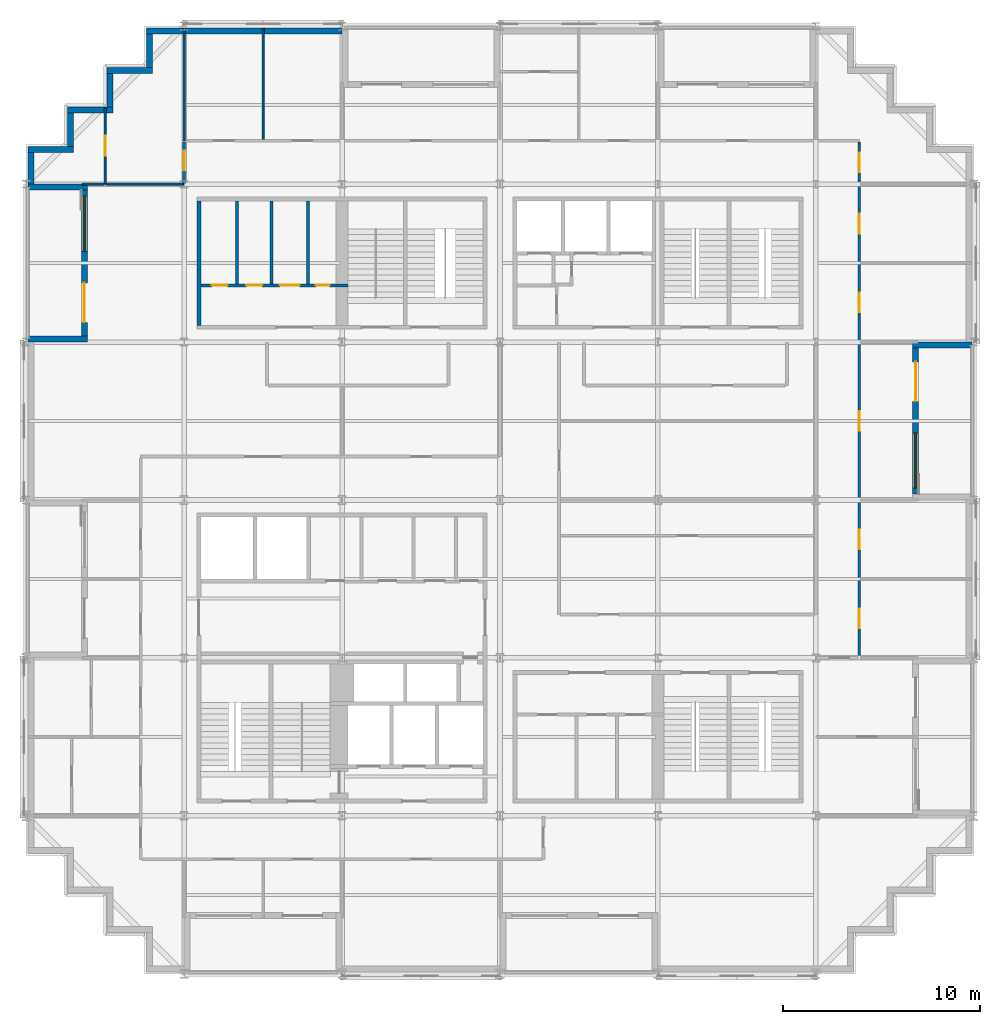
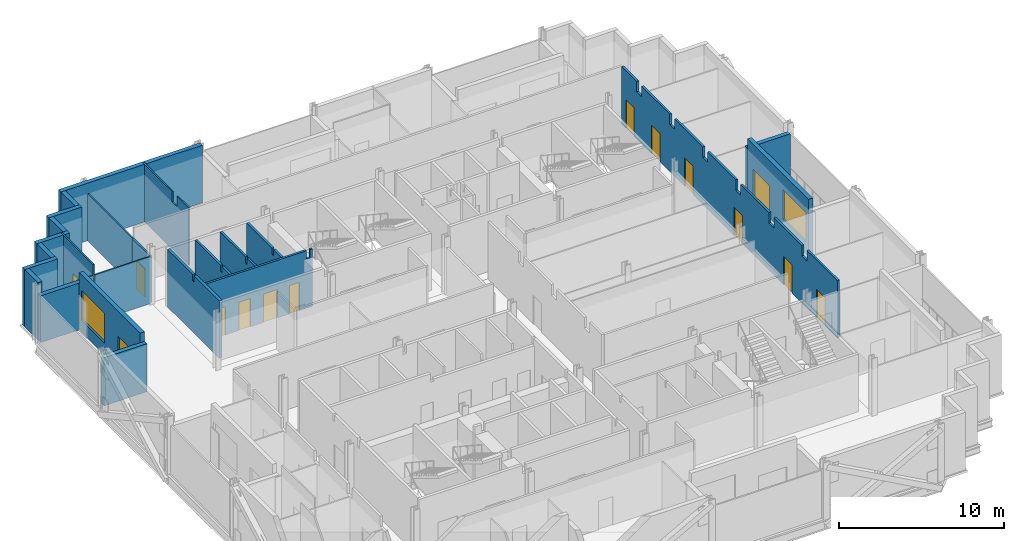
# One storey, part 9 of 14: 25 walls, 14 doors, 2 windows, 16 openings.
"""IFC4 building model written with IfcOpenShell, lengths in metres."""

import ifcopenshell
import ifcopenshell.guid

model = None  # the IFC model being written
_history = None  # IfcOwnerHistory: only IFC2X3 demands one
_inside = {}  # id of a spatial element -> (the spatial element, [elements in it])
_under = {}  # id of a project, library or spatial element -> (it, [spatial elements below it])
_declared = {}  # id of a project -> (the project, [libraries it declares])
_typed = {}  # id of a type object -> (the type object, [elements of that type])
_made_of = {}  # id of a material, layer set ... -> (it, [elements and type objects made of it])


def new_model(schema):
    """Start an empty IFC model of exactly this schema.

    Asked for "IFC4X3", IfcOpenShell would pick the latest addendum, in which some entities
    have other attributes; the version numbers below select the first issue.
    IFC2X3 requires an IfcOwnerHistory on every rooted entity: one is made here for all.
    """
    global model, _history
    if schema == "IFC4X3":
        model = ifcopenshell.file(schema_version=(4, 3, 0, 0))
    else:
        model = ifcopenshell.file(schema=schema)
    _inside.clear()
    _under.clear()
    _declared.clear()
    _typed.clear()
    _made_of.clear()
    _history = None
    if model.schema == "IFC2X3":
        org = make("IfcOrganization", Name="unknown")
        user = make(
            "IfcPersonAndOrganization",
            ThePerson=make("IfcPerson", FamilyName="unknown"),
            TheOrganization=org,
        )
        app = make(
            "IfcApplication",
            ApplicationDeveloper=org,
            Version="unknown",
            ApplicationFullName="unknown",
            ApplicationIdentifier="unknown",
        )
        _history = make(
            "IfcOwnerHistory",
            OwningUser=user,
            OwningApplication=app,
            ChangeAction="ADDED",
            CreationDate=0,
        )
    return model


def make(cls, **values):
    """One entity of the class cls with the attributes given. An attribute that is None is left unset."""
    return model.create_entity(
        cls, **{name: value for name, value in values.items() if value is not None}
    )


def rooted(cls, **values):
    """An entity with a GlobalId (a new one), such as an element, a storey or a relation."""
    return make(cls, GlobalId=ifcopenshell.guid.new(), OwnerHistory=_history, **values)


def si_unit(unit_type, name, prefix=None):
    """IfcSIUnit, for example si_unit("LENGTHUNIT", "METRE", prefix="MILLI")."""
    return make("IfcSIUnit", UnitType=unit_type, Prefix=prefix, Name=name)


def assignment(units):
    """IfcUnitAssignment: the units of a project."""
    return None if units is None else make("IfcUnitAssignment", Units=units)


def point(xyz):
    """IfcCartesianPoint."""
    return None if xyz is None else make("IfcCartesianPoint", Coordinates=xyz)


def direction(xyz):
    """IfcDirection."""
    return None if xyz is None else make("IfcDirection", DirectionRatios=xyz)


def frame(location, z_axis=None, x_axis=None):
    """IfcAxis2Placement3D, a coordinate frame: its origin and axes. An axis left out is left unset."""
    return make(
        "IfcAxis2Placement3D",
        Location=point(location),
        Axis=direction(z_axis),
        RefDirection=direction(x_axis),
    )


def frame_2d(location, x_axis=None):
    """IfcAxis2Placement2D, a coordinate frame in the plane: its origin and x axis."""
    return make(
        "IfcAxis2Placement2D", Location=point(location), RefDirection=direction(x_axis)
    )


def origin():
    """The frame at (0, 0, 0) with its axes left unset."""
    return frame((0.0, 0.0, 0.0))


def place(relative_to, where):
    """IfcLocalPlacement: puts the frame where relative to a parent placement (None: the world)."""
    return make(
        "IfcLocalPlacement", PlacementRelTo=relative_to, RelativePlacement=where
    )


def context(
    kind, dimensions, precision=None, world=None, true_north=None, identifier=None
):
    """IfcGeometricRepresentationContext, for example the 3D "Model" context."""
    return make(
        "IfcGeometricRepresentationContext",
        ContextIdentifier=identifier,
        ContextType=kind,
        CoordinateSpaceDimension=dimensions,
        Precision=precision,
        WorldCoordinateSystem=world,
        TrueNorth=true_north,
    )


def subcontext(parent, identifier, kind, view, scale=None):
    """IfcGeometricRepresentationSubContext, for example "Body" below "Model"."""
    return make(
        "IfcGeometricRepresentationSubContext",
        ContextIdentifier=identifier,
        ContextType=kind,
        ParentContext=parent,
        TargetScale=scale,
        TargetView=view,
    )


def project(units=None, contexts=None):
    """IfcProject with its units and contexts."""
    return rooted(
        "IfcProject",
        Name="project",
        RepresentationContexts=contexts,
        UnitsInContext=assignment(units),
    )


def spatial(cls, under=None, at=None, **own):
    """A site, building, storey or space (cls), placed at a placement, below another one or the project."""
    s = rooted(cls, ObjectPlacement=at, **own)
    if under is not None:
        _under.setdefault(under.id(), (under, []))[1].append(s)
    return s


def polyline(points):
    """IfcPolyline through the points."""
    return make("IfcPolyline", Points=[point(p) for p in points])


def profile(cls, at=None, kind="AREA", **sizes):
    """A parametric profile (cls). Its sizes go by their IFC names, for example OverallWidth=200.0."""
    return make(cls, ProfileType=kind, Position=at, **sizes)


def rectangle(**sizes):
    """IfcRectangleProfileDef."""
    return profile("IfcRectangleProfileDef", **sizes)


def outline(outer, holes=None, kind="AREA"):
    """IfcArbitraryClosedProfileDef: a profile drawn as a closed curve; with holes, ...WithVoids."""
    if holes is None:
        return make("IfcArbitraryClosedProfileDef", ProfileType=kind, OuterCurve=outer)
    return make(
        "IfcArbitraryProfileDefWithVoids",
        ProfileType=kind,
        OuterCurve=outer,
        InnerCurves=holes,
    )


def extrude(swept, where, along, depth):
    """IfcExtrudedAreaSolid: the profile swept, set in the frame where, extruded along a direction by depth."""
    return make(
        "IfcExtrudedAreaSolid",
        SweptArea=swept,
        Position=where,
        ExtrudedDirection=direction(along),
        Depth=depth,
    )


def shape(context_of_items, identifier, shape_type, items):
    """IfcShapeRepresentation: the items that make up one representation, for example the "Body"."""
    return make(
        "IfcShapeRepresentation",
        ContextOfItems=context_of_items,
        RepresentationIdentifier=identifier,
        RepresentationType=shape_type,
        Items=items,
    )


def material(Name=None, Category=None):
    """IfcMaterial."""
    return make("IfcMaterial", Name=Name, Category=Category)


def layer(
    of_material, thickness, ventilated=None, Name=None, Category=None, Priority=None
):
    """IfcMaterialLayer: one layer of a wall or slab, of a material (None: an air gap)."""
    return make(
        "IfcMaterialLayer",
        Material=of_material,
        LayerThickness=thickness,
        IsVentilated=ventilated,
        Name=Name,
        Category=Category,
        Priority=Priority,
    )


def layer_set(layers, Name=None):
    """IfcMaterialLayerSet."""
    return make("IfcMaterialLayerSet", MaterialLayers=layers, LayerSetName=Name)


def made_of(thing, what):
    """Note that an element or type object is made of a material, layer set ...; save() writes the relation."""
    if what is not None:
        _made_of.setdefault(what.id(), (what, []))[1].append(thing)
    return thing


def type_object(cls, material=None, **own):
    """A type object (cls), such as IfcWallType, which elements share."""
    return made_of(rooted(cls, **own), material)


def element(
    cls,
    number,
    at=None,
    inside=None,
    cuts=None,
    type_object=None,
    material=None,
    context=None,
    identifier="Body",
    shape_type=None,
    held_by="IfcProductDefinitionShape",
    body=None,
    shapes=None,
    **own,
):
    """One element of the class cls, such as IfcWall. Its Tag is "e" and its number.

    at: its placement. inside: the storey or other place that contains it. cuts: it is an
    opening in that element (IfcRelVoidsElement). A single representation is given by context,
    identifier, shape_type and body (its items); several are given by shapes. held_by: the class
    of the entity that holds the representations. save() writes the other relations.
    """
    e = rooted(cls, Tag="e%d" % number, ObjectPlacement=at, **own)
    if body is not None:
        shapes = [shape(context, identifier, shape_type, body)]
    if shapes is not None:
        e.Representation = make(held_by, Representations=shapes)
    if inside is not None:
        _inside.setdefault(inside.id(), (inside, []))[1].append(e)
    if cuts is not None:
        rooted(
            "IfcRelVoidsElement", RelatingBuildingElement=cuts, RelatedOpeningElement=e
        )
    if type_object is not None:
        _typed.setdefault(type_object.id(), (type_object, []))[1].append(e)
    return made_of(e, material)


def fill(opening, filler):
    """IfcRelFillsElement: the door or window that sits in an opening."""
    return rooted(
        "IfcRelFillsElement",
        RelatingOpeningElement=opening,
        RelatedBuildingElement=filler,
    )


def aggregate(whole, parts):
    """IfcRelAggregates: a whole, such as a stair, and the parts it consists of."""
    return rooted("IfcRelAggregates", RelatingObject=whole, RelatedObjects=parts)


def save(model, path):
    """Write the relations noted so far, then the file.

    IfcRelAggregates (storeys below a building ...), IfcRelContainedInSpatialStructure (elements
    in a storey), IfcRelDefinesByType, IfcRelAssociatesMaterial and IfcRelDeclares: one each for
    every whole, place, type object, material and project.
    """
    for whole, parts in _under.values():
        aggregate(whole, parts)
    for where, things in _inside.values():
        rooted(
            "IfcRelContainedInSpatialStructure",
            RelatedElements=things,
            RelatingStructure=where,
        )
    for kind, things in _typed.values():
        rooted("IfcRelDefinesByType", RelatedObjects=things, RelatingType=kind)
    for what, things in _made_of.values():
        rooted("IfcRelAssociatesMaterial", RelatedObjects=things, RelatingMaterial=what)
    for by, libraries in _declared.values():
        rooted("IfcRelDeclares", RelatingContext=by, RelatedDefinitions=libraries)
    model.write(path)


model = new_model("IFC4")

# Units and contexts
model_context = context("Model", 3, precision=1e-05, world=origin(), true_north=direction((0.0, 1.0)))
body_context = subcontext(model_context, "Body", "Model", "MODEL_VIEW")
ifc_project = project(units=[si_unit("LENGTHUNIT", "METRE"), si_unit("AREAUNIT", "SQUARE_METRE"), si_unit("VOLUMEUNIT", "CUBIC_METRE"), si_unit("PLANEANGLEUNIT", "RADIAN"), si_unit("MASSUNIT", "GRAM", prefix="KILO")], contexts=[model_context])

# Site, building, storey
site_placement = place(None, origin())
site = spatial("IfcSite", under=ifc_project, at=site_placement, CompositionType="ELEMENT")
building_placement = place(site_placement, origin())
building = spatial("IfcBuilding", under=site, at=building_placement, Name="Immortelle Media Tower", CompositionType="ELEMENT")
storey_placement = place(building_placement, frame((0.0, 0.0, 96.39990234375)))
storey = spatial("IfcBuildingStorey", under=building, at=storey_placement, Name="L18", CompositionType="ELEMENT", Elevation=96.39990234375)

# Wall, openings, doors
ifc_material_1 = material(Name="Fire-rated gypsum board", Category="gypsum")
ifc_layer_1 = layer(ifc_material_1, 0.02490234375)
ifc_material_2 = material(Name="Steel ASTM A653 SS Gr 50 stud frame with mineral wool", Category="steel")
ifc_layer_2 = layer(ifc_material_2, 0.10009765625)
ifc_layer_3 = layer(ifc_material_1, 0.02490234375)
ifc_layer_set_1 = layer_set([ifc_layer_1, ifc_layer_2, ifc_layer_3], Name="Steel ASTM A653 SS Gr 50 stud frame with mineral wool")
wall_type_1 = type_object("IfcWallType", Name="Core partition 150", PredefinedType="PARTITIONING", material=ifc_layer_set_1)
wall_1_placement = place(storey_placement, frame((8.85009765625, 34.875, 0.0), z_axis=(0.0, 0.0, 1.0), x_axis=(1.0, 0.0, 0.0)))
wall_1 = element("IfcWall", 1, at=wall_1_placement, inside=storey, type_object=wall_type_1, Name="Core partition NW", PredefinedType="PARTITIONING", context=body_context, shape_type="SweptSolid", body=[
    extrude(outline(polyline([(0.0, 0.0), (7.449951171875, 0.0), (7.449951171875, 4.25), (7.26953125, 4.25), (7.2685546875, 3.632080078125), (7.031494140625, 3.632080078125), (7.030517578125, 4.25), (0.0, 4.25), (0.0, 0.0)])), frame((0.0, 0.074951171875, 0.0), z_axis=(0.0, -1.0, 0.0), x_axis=(1.0, 0.0, 0.0)), (0.0, 0.0, 1.0), 0.14990234375),
])
opening_1_placement = place(wall_1_placement, frame((0.550048828125, 0.0, 0.0)))
opening_1 = element("IfcOpeningElement", 2, at=opening_1_placement, cuts=wall_1, Name="Opening N6-K021", PredefinedType="OPENING", context=body_context, shape_type="SweptSolid", body=[
    extrude(rectangle(XDim=0.800048828125, YDim=2.10009765625, at=frame_2d((0.39990234375, 1.050048828125))), frame((0.0, 0.0849609375, 0.0), z_axis=(0.0, -1.0, 0.0), x_axis=(1.0, 0.0, 0.0)), (0.0, 0.0, 1.0), 0.169921875),
])
opening_2_placement = place(wall_1_placement, frame((2.300048828125, 0.0, 0.0)))
opening_2 = element("IfcOpeningElement", 3, at=opening_2_placement, cuts=wall_1, Name="Opening N6-K022", PredefinedType="OPENING", context=body_context, shape_type="SweptSolid", body=[
    extrude(rectangle(XDim=0.800048828125, YDim=2.10009765625, at=frame_2d((0.39990234375, 1.050048828125))), frame((0.0, 0.0849609375, 0.0), z_axis=(0.0, -1.0, 0.0), x_axis=(1.0, 0.0, 0.0)), (0.0, 0.0, 1.0), 0.169921875),
])
opening_3_placement = place(wall_1_placement, frame((4.0, 0.0, 0.0)))
opening_3 = element("IfcOpeningElement", 4, at=opening_3_placement, cuts=wall_1, Name="Opening N6-K023", PredefinedType="OPENING", context=body_context, shape_type="SweptSolid", body=[
    extrude(rectangle(XDim=1.0, YDim=2.10009765625, at=frame_2d((0.5, 1.050048828125))), frame((0.0, 0.0849609375, 0.0), z_axis=(0.0, -1.0, 0.0), x_axis=(1.0, 0.0, 0.0)), (0.0, 0.0, 1.0), 0.169921875),
])
opening_4_placement = place(wall_1_placement, frame((5.824951171875, 0.0, 0.0)))
opening_4 = element("IfcOpeningElement", 5, at=opening_4_placement, cuts=wall_1, Name="Opening N6-K025", PredefinedType="OPENING", context=body_context, shape_type="SweptSolid", body=[
    extrude(rectangle(XDim=0.699951171875, YDim=2.10009765625, at=frame_2d((0.35009765625, 1.050048828125))), frame((0.0, 0.0849609375, 0.0), z_axis=(0.0, -1.0, 0.0), x_axis=(1.0, 0.0, 0.0)), (0.0, 0.0, 1.0), 0.169921875),
])
ifc_material_3 = material(Name="Timber", Category="wood")
door_type_1 = type_object("IfcDoorType", Name="Accessible toilet door 1000 x 2100", OperationType="NOTDEFINED", PredefinedType="NOTDEFINED", material=ifc_material_3)
door_1_placement = place(opening_3_placement, origin())
door_1 = element("IfcDoor", 6, at=door_1_placement, inside=storey, type_object=door_type_1, Name="Accessible toilet N6-K023", OperationType="SINGLE_SWING_RIGHT", OverallHeight=2.10009765625, OverallWidth=1.0, PredefinedType="NOTDEFINED", context=body_context, shape_type="SweptSolid", body=[
    extrude(rectangle(XDim=1.0, YDim=2.10009765625, at=frame_2d((0.5, 1.050048828125))), frame((0.0, 0.02490234375, 0.0), z_axis=(0.0, -1.0, 0.0), x_axis=(1.0, 0.0, 0.0)), (0.0, 0.0, 1.0), 0.050048828125),
])
fill(opening_3, door_1)
ifc_material_4 = material(Name="Galvanised steel door leaf and frame ASTM A653", Category="steel")
door_type_2 = type_object("IfcDoorType", Name="Service door 700 x 2100", OperationType="NOTDEFINED", PredefinedType="NOTDEFINED", material=ifc_material_4)
door_2_placement = place(opening_4_placement, origin())
door_2 = element("IfcDoor", 7, at=door_2_placement, inside=storey, type_object=door_type_2, Name="Service N6-K025", OperationType="SINGLE_SWING_RIGHT", OverallHeight=2.10009765625, OverallWidth=0.699951171875, PredefinedType="NOTDEFINED", context=body_context, shape_type="SweptSolid", body=[
    extrude(rectangle(XDim=0.699951171875, YDim=2.10009765625, at=frame_2d((0.35009765625, 1.050048828125))), frame((0.0, 0.02490234375, 0.0), z_axis=(0.0, -1.0, 0.0), x_axis=(1.0, 0.0, 0.0)), (0.0, 0.0, 1.0), 0.050048828125),
])
fill(opening_4, door_2)
door_type_3 = type_object("IfcDoorType", Name="Toilet door 800 x 2100", OperationType="NOTDEFINED", PredefinedType="NOTDEFINED", material=ifc_material_3)
door_3_placement = place(opening_1_placement, origin())
door_3 = element("IfcDoor", 8, at=door_3_placement, inside=storey, type_object=door_type_3, Name="Toilet N6-K021", OperationType="SINGLE_SWING_RIGHT", OverallHeight=2.10009765625, OverallWidth=0.800048828125, PredefinedType="NOTDEFINED", context=body_context, shape_type="SweptSolid", body=[
    extrude(rectangle(XDim=0.800048828125, YDim=2.10009765625, at=frame_2d((0.39990234375, 1.050048828125))), frame((0.0, 0.02490234375, 0.0), z_axis=(0.0, -1.0, 0.0), x_axis=(1.0, 0.0, 0.0)), (0.0, 0.0, 1.0), 0.050048828125),
])
fill(opening_1, door_3)
door_4_placement = place(opening_2_placement, origin())
door_4 = element("IfcDoor", 9, at=door_4_placement, inside=storey, type_object=door_type_3, Name="Toilet N6-K022", OperationType="SINGLE_SWING_RIGHT", OverallHeight=2.10009765625, OverallWidth=0.800048828125, PredefinedType="NOTDEFINED", context=body_context, shape_type="SweptSolid", body=[
    extrude(rectangle(XDim=0.800048828125, YDim=2.10009765625, at=frame_2d((0.39990234375, 1.050048828125))), frame((0.0, 0.02490234375, 0.0), z_axis=(0.0, -1.0, 0.0), x_axis=(1.0, 0.0, 0.0)), (0.0, 0.0, 1.0), 0.050048828125),
])
fill(opening_2, door_4)

# Walls
for number, where, z_axis, x_axis, name in (
    (10, (10.675048828125, 34.949951171875, 0.0), (0.0, 0.0, 1.0), (0.0, 1.0, 0.0), "Core partition NW"),
    (11, (12.425048828125, 34.949951171875, 0.0), (0.0, 0.0, 1.0), (0.0, 1.0, 0.0), "Core partition NW"),
    (12, (14.27490234375, 34.949951171875, 0.0), (0.0, 0.0, 1.0), (0.0, 1.0, 0.0), "Core partition NW"),
):
    element("IfcWall", number, at=place(storey_placement, frame(where, z_axis=z_axis, x_axis=x_axis)), inside=storey, type_object=wall_type_1, Name=name, PredefinedType="PARTITIONING", context=body_context, shape_type="SweptSolid", body=[
        extrude(outline(polyline([(0.0, 0.0), (4.199951171875, 0.0), (4.199951171875, 4.25), (1.131591796875, 4.25), (1.130615234375, 3.7890625), (0.969482421875, 3.7890625), (0.968505859375, 4.25), (0.0, 4.25), (0.0, 0.0)])), frame((0.0, 0.074951171875, 0.0), z_axis=(0.0, -1.0, 0.0), x_axis=(1.0, 0.0, 0.0)), (0.0, 0.0, 1.0), 0.14990234375),
    ])
ifc_layer_4 = layer(ifc_material_1, 0.03759765625)
ifc_layer_5 = layer(ifc_material_2, 0.125)
ifc_layer_6 = layer(ifc_material_1, 0.03759765625)
ifc_layer_set_2 = layer_set([ifc_layer_4, ifc_layer_5, ifc_layer_6], Name="Steel ASTM A653 SS Gr 50 stud frame with mineral wool")
wall_type_2 = type_object("IfcWallType", Name="Core shaft wall 200", PredefinedType="PARTITIONING", material=ifc_layer_set_2)
wall_2_placement = place(storey_placement, frame((8.75, 32.85009765625, 0.0), z_axis=(0.0, 0.0, 1.0), x_axis=(0.0, 1.0, 0.0)))
element("IfcWall", 13, at=wall_2_placement, inside=storey, type_object=wall_type_2, Name="Core shaft wall NW", PredefinedType="PARTITIONING", context=body_context, shape_type="SweptSolid", body=[
    extrude(outline(polyline([(0.0, 0.0), (6.2998046875, 0.0), (6.300048828125, 4.25), (3.2314453125, 4.25), (3.23046875, 3.7890625), (3.069580078125, 3.7890625), (3.068603515625, 4.25), (0.0, 4.25), (0.0, 0.0)])), frame((0.0, 0.10009765625, 0.0), z_axis=(0.0, -1.0, 0.0), x_axis=(1.0, 0.0, 0.0)), (0.0, 0.0, 1.0), 0.199951171875),
])

# Wall, openings, doors
ifc_layer_7 = layer(ifc_material_1, 0.012451171875)
ifc_layer_8 = layer(ifc_material_2, 0.125)
ifc_layer_9 = layer(ifc_material_1, 0.012451171875)
ifc_layer_set_3 = layer_set([ifc_layer_7, ifc_layer_8, ifc_layer_9], Name="Steel ASTM A653 SS Gr 50 stud frame with mineral wool")
wall_type_3 = type_object("IfcWallType", Name="Corridor wall 150", PredefinedType="PARTITIONING", material=ifc_layer_set_3)
wall_3_placement = place(storey_placement, frame((42.199951171875, 16.0, 0.0), z_axis=(0.0, 0.0, 1.0), x_axis=(0.0, 1.0, 0.0)))
wall_3 = element("IfcWall", 14, at=wall_3_placement, inside=storey, type_object=wall_type_3, Name="Partition L18-021", PredefinedType="PARTITIONING", context=body_context, shape_type="SweptSolid", body=[
    extrude(outline(polyline([(0.0, 0.0), (26.125, 0.0), (26.125, 4.25), (24.300048828125, 4.25), (24.298095703125, 3.47021484375), (23.701904296875, 3.47021484375), (23.699951171875, 4.25), (20.300048828125, 4.25), (20.298095703125, 3.47021484375), (19.701904296875, 3.47021484375), (19.699951171875, 4.25), (16.300048828125, 4.25), (16.298095703125, 3.47021484375), (15.701904296875, 3.47021484375), (15.699951171875, 4.25), (12.300048828125, 4.25), (12.298095703125, 3.47021484375), (11.701904296875, 3.47021484375), (11.699951171875, 4.25), (8.300048828125, 4.25), (8.298095703125, 3.47021484375), (7.701904296875, 3.47021484375), (7.699951171875, 4.25), (4.300048828125, 4.25), (4.298095703125, 3.47021484375), (3.701904296875, 3.47021484375), (3.699951171875, 4.25), (0.0, 4.25), (0.0, 0.0)])), frame((0.0, 0.074951171875, 0.0), z_axis=(0.0, -1.0, 0.0), x_axis=(1.0, 0.0, 0.0)), (0.0, 0.0, 1.0), 0.14990234375),
])
opening_5_placement = place(wall_3_placement, frame((2.5, 0.0, 0.0), z_axis=(0.0, 0.0, 1.0), x_axis=(-1.0, 0.0, 0.0)))
opening_5 = element("IfcOpeningElement", 15, at=opening_5_placement, cuts=wall_3, Name="Opening N6-F014", PredefinedType="OPENING", context=body_context, shape_type="SweptSolid", body=[
    extrude(rectangle(XDim=1.0, YDim=2.10009765625, at=frame_2d((0.5, 1.050048828125))), frame((0.0, 0.0849609375, 0.0), z_axis=(0.0, -1.0, 0.0), x_axis=(1.0, 0.0, 0.0)), (0.0, 0.0, 1.0), 0.169921875),
])
opening_6_placement = place(wall_3_placement, frame((6.5, 0.0, 0.0), z_axis=(0.0, 0.0, 1.0), x_axis=(-1.0, 0.0, 0.0)))
opening_6 = element("IfcOpeningElement", 16, at=opening_6_placement, cuts=wall_3, Name="Opening N6-F015", PredefinedType="OPENING", context=body_context, shape_type="SweptSolid", body=[
    extrude(rectangle(XDim=1.0, YDim=2.10009765625, at=frame_2d((0.5, 1.050048828125))), frame((0.0, 0.0849609375, 0.0), z_axis=(0.0, -1.0, 0.0), x_axis=(1.0, 0.0, 0.0)), (0.0, 0.0, 1.0), 0.169921875),
])
opening_7_placement = place(wall_3_placement, frame((12.5, 0.0, 0.0), z_axis=(0.0, 0.0, 1.0), x_axis=(-1.0, 0.0, 0.0)))
opening_7 = element("IfcOpeningElement", 17, at=opening_7_placement, cuts=wall_3, Name="Opening N6-F020", PredefinedType="OPENING", context=body_context, shape_type="SweptSolid", body=[
    extrude(rectangle(XDim=1.0, YDim=2.10009765625, at=frame_2d((0.5, 1.050048828125))), frame((0.0, 0.0849609375, 0.0), z_axis=(0.0, -1.0, 0.0), x_axis=(1.0, 0.0, 0.0)), (0.0, 0.0, 1.0), 0.169921875),
])
opening_8_placement = place(wall_3_placement, frame((18.5, 0.0, 0.0), z_axis=(0.0, 0.0, 1.0), x_axis=(-1.0, 0.0, 0.0)))
opening_8 = element("IfcOpeningElement", 18, at=opening_8_placement, cuts=wall_3, Name="Opening N6-F023", PredefinedType="OPENING", context=body_context, shape_type="SweptSolid", body=[
    extrude(rectangle(XDim=1.0, YDim=2.10009765625, at=frame_2d((0.5, 1.050048828125))), frame((0.0, 0.0849609375, 0.0), z_axis=(0.0, -1.0, 0.0), x_axis=(1.0, 0.0, 0.0)), (0.0, 0.0, 1.0), 0.169921875),
])
opening_9_placement = place(wall_3_placement, frame((22.5, 0.0, 0.0), z_axis=(0.0, 0.0, 1.0), x_axis=(-1.0, 0.0, 0.0)))
opening_9 = element("IfcOpeningElement", 19, at=opening_9_placement, cuts=wall_3, Name="Opening N6-F024", PredefinedType="OPENING", context=body_context, shape_type="SweptSolid", body=[
    extrude(rectangle(XDim=1.0, YDim=2.10009765625, at=frame_2d((0.5, 1.050048828125))), frame((0.0, 0.0849609375, 0.0), z_axis=(0.0, -1.0, 0.0), x_axis=(1.0, 0.0, 0.0)), (0.0, 0.0, 1.0), 0.169921875),
])
opening_10_placement = place(wall_3_placement, frame((25.60009765625, 0.0, 0.0), z_axis=(0.0, 0.0, 1.0), x_axis=(-1.0, 0.0, 0.0)))
opening_10 = element("IfcOpeningElement", 20, at=opening_10_placement, cuts=wall_3, Name="Opening N6-F027", PredefinedType="OPENING", context=body_context, shape_type="SweptSolid", body=[
    extrude(rectangle(XDim=1.0, YDim=2.10009765625, at=frame_2d((0.5, 1.050048828125))), frame((0.0, 0.0849609375, 0.0), z_axis=(0.0, -1.0, 0.0), x_axis=(1.0, 0.0, 0.0)), (0.0, 0.0, 1.0), 0.169921875),
])
ifc_material_5 = material(Name="Timber veneered door leaf, galvanised steel frame ASTM A653", Category="steel")
door_type_4 = type_object("IfcDoorType", Name="Room door 1000 x 2100", OperationType="NOTDEFINED", PredefinedType="DOOR", material=ifc_material_5)
door_5_placement = place(opening_5_placement, origin())
door_5 = element("IfcDoor", 21, at=door_5_placement, inside=storey, type_object=door_type_4, Name="Door N6-F014", OperationType="SINGLE_SWING_LEFT", OverallHeight=2.10009765625, OverallWidth=1.0, PredefinedType="DOOR", context=body_context, shape_type="SweptSolid", body=[
    extrude(rectangle(XDim=1.0, YDim=2.10009765625, at=frame_2d((0.5, 1.050048828125))), frame((0.0, 0.02490234375, 0.0), z_axis=(0.0, -1.0, 0.0), x_axis=(1.0, 0.0, 0.0)), (0.0, 0.0, 1.0), 0.050048828125),
])
fill(opening_5, door_5)
door_6_placement = place(opening_6_placement, origin())
door_6 = element("IfcDoor", 22, at=door_6_placement, inside=storey, type_object=door_type_4, Name="Door N6-F015", OperationType="SINGLE_SWING_RIGHT", OverallHeight=2.10009765625, OverallWidth=1.0, PredefinedType="DOOR", context=body_context, shape_type="SweptSolid", body=[
    extrude(rectangle(XDim=1.0, YDim=2.10009765625, at=frame_2d((0.5, 1.050048828125))), frame((0.0, 0.02490234375, 0.0), z_axis=(0.0, -1.0, 0.0), x_axis=(1.0, 0.0, 0.0)), (0.0, 0.0, 1.0), 0.050048828125),
])
fill(opening_6, door_6)
door_7_placement = place(opening_7_placement, origin())
door_7 = element("IfcDoor", 23, at=door_7_placement, inside=storey, type_object=door_type_4, Name="Door N6-F020", OperationType="SINGLE_SWING_RIGHT", OverallHeight=2.10009765625, OverallWidth=1.0, PredefinedType="DOOR", context=body_context, shape_type="SweptSolid", body=[
    extrude(rectangle(XDim=1.0, YDim=2.10009765625, at=frame_2d((0.5, 1.050048828125))), frame((0.0, 0.02490234375, 0.0), z_axis=(0.0, -1.0, 0.0), x_axis=(1.0, 0.0, 0.0)), (0.0, 0.0, 1.0), 0.050048828125),
])
fill(opening_7, door_7)
door_8_placement = place(opening_8_placement, origin())
door_8 = element("IfcDoor", 24, at=door_8_placement, inside=storey, type_object=door_type_4, Name="Door N6-F023", OperationType="SINGLE_SWING_LEFT", OverallHeight=2.10009765625, OverallWidth=1.0, PredefinedType="DOOR", context=body_context, shape_type="SweptSolid", body=[
    extrude(rectangle(XDim=1.0, YDim=2.10009765625, at=frame_2d((0.5, 1.050048828125))), frame((0.0, 0.02490234375, 0.0), z_axis=(0.0, -1.0, 0.0), x_axis=(1.0, 0.0, 0.0)), (0.0, 0.0, 1.0), 0.050048828125),
])
fill(opening_8, door_8)
door_9_placement = place(opening_9_placement, origin())
door_9 = element("IfcDoor", 25, at=door_9_placement, inside=storey, type_object=door_type_4, Name="Door N6-F024", OperationType="SINGLE_SWING_LEFT", OverallHeight=2.10009765625, OverallWidth=1.0, PredefinedType="DOOR", context=body_context, shape_type="SweptSolid", body=[
    extrude(rectangle(XDim=1.0, YDim=2.10009765625, at=frame_2d((0.5, 1.050048828125))), frame((0.0, 0.02490234375, 0.0), z_axis=(0.0, -1.0, 0.0), x_axis=(1.0, 0.0, 0.0)), (0.0, 0.0, 1.0), 0.050048828125),
])
fill(opening_9, door_9)
door_10_placement = place(opening_10_placement, origin())
door_10 = element("IfcDoor", 26, at=door_10_placement, inside=storey, type_object=door_type_4, Name="Door N6-F027", OperationType="SINGLE_SWING_RIGHT", OverallHeight=2.10009765625, OverallWidth=1.0, PredefinedType="DOOR", context=body_context, shape_type="SweptSolid", body=[
    extrude(rectangle(XDim=1.0, YDim=2.10009765625, at=frame_2d((0.5, 1.050048828125))), frame((0.0, 0.02490234375, 0.0), z_axis=(0.0, -1.0, 0.0), x_axis=(1.0, 0.0, 0.0)), (0.0, 0.0, 1.0), 0.050048828125),
])
fill(opening_10, door_10)

# Wall, opening, door
wall_4_placement = place(storey_placement, frame((8.0, 40.030029296875, 0.0), z_axis=(0.0, 0.0, 1.0), x_axis=(0.0, 1.0, 0.0)))
wall_4 = element("IfcWall", 27, at=wall_4_placement, inside=storey, type_object=wall_type_3, Name="Partition L18-047", PredefinedType="PARTITIONING", context=body_context, shape_type="SweptSolid", body=[
    extrude(rectangle(XDim=2.094970703125, YDim=0.14990234375, at=frame_2d((1.04736328125, 0.0))), origin(), (0.0, 0.0, 1.0), 3.47021484375),
])
opening_11_placement = place(wall_4_placement, frame((0.669921875, 0.0, 0.0)))
opening_11 = element("IfcOpeningElement", 28, at=opening_11_placement, cuts=wall_4, Name="Opening N6-F025", PredefinedType="OPENING", context=body_context, shape_type="SweptSolid", body=[
    extrude(rectangle(XDim=1.0, YDim=2.10009765625, at=frame_2d((0.5, 1.050048828125))), frame((0.0, 0.0849609375, 0.0), z_axis=(0.0, -1.0, 0.0), x_axis=(1.0, 0.0, 0.0)), (0.0, 0.0, 1.0), 0.169921875),
])
door_11_placement = place(opening_11_placement, origin())
door_11 = element("IfcDoor", 29, at=door_11_placement, inside=storey, type_object=door_type_4, Name="Door N6-F025", OperationType="SINGLE_SWING_LEFT", OverallHeight=2.10009765625, OverallWidth=1.0, PredefinedType="DOOR", context=body_context, shape_type="SweptSolid", body=[
    extrude(rectangle(XDim=1.0, YDim=2.10009765625, at=frame_2d((0.5, 1.050048828125))), frame((0.0, 0.02490234375, 0.0), z_axis=(0.0, -1.0, 0.0), x_axis=(1.0, 0.0, 0.0)), (0.0, 0.0, 1.0), 0.050048828125),
])
fill(opening_11, door_11)

# Wall
ifc_material_6 = material(Name="Pale aluminium cladding panel", Category="aluminium")
ifc_layer_10 = layer(ifc_material_6, 0.030029296875)
ifc_layer_11 = layer(ifc_material_2, 0.257568359375)
ifc_material_7 = material(Name="Moisture-resistant gypsum board", Category="gypsum")
ifc_layer_12 = layer(ifc_material_7, 0.012451171875)
ifc_layer_set_4 = layer_set([ifc_layer_10, ifc_layer_11, ifc_layer_12], Name="Steel ASTM A653 SS Gr 50 stud frame with mineral wool")
wall_type_4 = type_object("IfcWallType", Name="Facade wall 300", PredefinedType="SOLIDWALL", material=ifc_layer_set_4)
wall_5_placement = place(storey_placement, frame((0.25, 41.60009765625, 0.0), z_axis=(0.0, 0.0, 1.0), x_axis=(0.0, -1.0, 0.0)))
element("IfcWall", 30, at=wall_5_placement, inside=storey, type_object=wall_type_4, Name="Facade wall L18 W0", PredefinedType="SOLIDWALL", context=body_context, shape_type="SweptSolid", body=[
    extrude(rectangle(XDim=1.60009765625, YDim=0.300048828125, at=frame_2d((0.800048828125, 0.0))), origin(), (0.0, 0.0, 1.0), 4.25),
])

# Wall, openings, door, window
wall_6_placement = place(storey_placement, frame((2.949951171875, 39.699951171875, 0.0), z_axis=(0.0, 0.0, 1.0), x_axis=(0.0, -1.0, 0.0)))
wall_6 = element("IfcWall", 31, at=wall_6_placement, inside=storey, type_object=wall_type_4, Name="Loggia wall L18 W0", PredefinedType="SOLIDWALL", context=body_context, shape_type="SweptSolid", body=[
    extrude(rectangle(XDim=7.39990234375, YDim=0.300048828125, at=frame_2d((3.699951171875, 0.0))), origin(), (0.0, 0.0, 1.0), 4.25),
])
opening_12_placement = place(wall_6_placement, frame((0.300048828125, 0.0, 0.89990234375)))
opening_12 = element("IfcOpeningElement", 32, at=opening_12_placement, cuts=wall_6, Name="Opening W1", PredefinedType="OPENING", context=body_context, shape_type="SweptSolid", body=[
    extrude(rectangle(XDim=2.800048828125, YDim=2.199951171875, at=frame_2d((1.39990234375, 1.10009765625))), frame((0.0, 0.159912109375, 0.0), z_axis=(0.0, -1.0, 0.0), x_axis=(1.0, 0.0, 0.0)), (0.0, 0.0, 1.0), 0.320068359375),
])
opening_13_placement = place(wall_6_placement, frame((4.699951171875, 0.0, 0.0)))
opening_13 = element("IfcOpeningElement", 33, at=opening_13_placement, cuts=wall_6, Name="Opening N6-E001", PredefinedType="OPENING", context=body_context, shape_type="SweptSolid", body=[
    extrude(rectangle(XDim=2.0, YDim=2.39990234375, at=frame_2d((1.0, 1.199951171875))), frame((0.0, 0.159912109375, 0.0), z_axis=(0.0, -1.0, 0.0), x_axis=(1.0, 0.0, 0.0)), (0.0, 0.0, 1.0), 0.320068359375),
])
ifc_material_8 = material(Name="Aluminium frame, glazed leaves", Category="aluminium")
door_type_5 = type_object("IfcDoorType", Name="Loggia door 2000 x 2400", OperationType="DOUBLE_DOOR_SINGLE_SWING", PredefinedType="DOOR", material=ifc_material_8)
door_12_placement = place(opening_13_placement, origin())
door_12 = element("IfcDoor", 34, at=door_12_placement, inside=storey, type_object=door_type_5, Name="Door N6-E001", OperationType="DOUBLE_DOOR_SINGLE_SWING", OverallHeight=2.39990234375, OverallWidth=2.0, PredefinedType="DOOR", context=body_context, shape_type="SweptSolid", body=[
    extrude(rectangle(XDim=2.0, YDim=2.39990234375, at=frame_2d((1.0, 1.199951171875))), frame((0.0, 0.02490234375, 0.0), z_axis=(0.0, -1.0, 0.0), x_axis=(1.0, 0.0, 0.0)), (0.0, 0.0, 1.0), 0.050048828125),
])
fill(opening_13, door_12)
ifc_material_9 = material(Name="Aluminium frame", Category="aluminium")
window_type = type_object("IfcWindowType", Name="Window 2800 x 2200", PartitioningType="SINGLE_PANEL", PredefinedType="WINDOW", material=ifc_material_9)
window_1_placement = place(opening_12_placement, origin())
window_1 = element("IfcWindow", 35, at=window_1_placement, inside=storey, type_object=window_type, Name="Window L18 L18-R0-B0", OverallHeight=2.199951171875, OverallWidth=2.800048828125, PartitioningType="SINGLE_PANEL", PredefinedType="WINDOW", context=body_context, shape_type="SweptSolid", body=[
    extrude(rectangle(XDim=2.800048828125, YDim=2.199951171875, at=frame_2d((1.39990234375, 1.10009765625))), frame((0.0, 0.030029296875, 0.0), z_axis=(0.0, -1.0, 0.0), x_axis=(1.0, 0.0, 0.0)), (0.0, 0.0, 1.0), 0.06005859375),
])
fill(opening_12, window_1)

# Walls
wall_7_placement = place(storey_placement, frame((0.10009765625, 39.85009765625, 0.0), z_axis=(0.0, 0.0, 1.0), x_axis=(1.0, 0.0, 0.0)))
element("IfcWall", 36, at=wall_7_placement, inside=storey, type_object=wall_type_4, Name="Loggia cheek wall L18 W", PredefinedType="SOLIDWALL", context=body_context, shape_type="SweptSolid", body=[
    extrude(rectangle(XDim=3.0, YDim=0.300048828125, at=frame_2d((1.5, 0.0))), origin(), (0.0, 0.0, 1.0), 3.468994140625),
])
wall_8_placement = place(storey_placement, frame((0.10009765625, 32.14990234375, 0.0), z_axis=(0.0, 0.0, 1.0), x_axis=(1.0, 0.0, 0.0)))
element("IfcWall", 37, at=wall_8_placement, inside=storey, type_object=wall_type_4, Name="Loggia cheek wall L18 W", PredefinedType="SOLIDWALL", context=body_context, shape_type="SweptSolid", body=[
    extrude(rectangle(XDim=3.0, YDim=0.300048828125, at=frame_2d((1.5, 0.0))), origin(), (0.0, 0.0, 1.0), 3.55615234375),
])

# Wall, openings, door, window
wall_9_placement = place(storey_placement, frame((45.050048828125, 24.300048828125, 0.0), z_axis=(0.0, 0.0, 1.0), x_axis=(0.0, 1.0, 0.0)))
wall_9 = element("IfcWall", 38, at=wall_9_placement, inside=storey, type_object=wall_type_4, Name="Loggia wall L18 E14", PredefinedType="SOLIDWALL", context=body_context, shape_type="SweptSolid", body=[
    extrude(rectangle(XDim=7.39990234375, YDim=0.300048828125, at=frame_2d((3.699951171875, 0.0))), origin(), (0.0, 0.0, 1.0), 4.25),
])
opening_14_placement = place(wall_9_placement, frame((0.300048828125, 0.0, 0.89990234375)))
opening_14 = element("IfcOpeningElement", 39, at=opening_14_placement, cuts=wall_9, Name="Opening W1", PredefinedType="OPENING", context=body_context, shape_type="SweptSolid", body=[
    extrude(rectangle(XDim=2.800048828125, YDim=2.199951171875, at=frame_2d((1.39990234375, 1.10009765625))), frame((0.0, 0.159912109375, 0.0), z_axis=(0.0, -1.0, 0.0), x_axis=(1.0, 0.0, 0.0)), (0.0, 0.0, 1.0), 0.320068359375),
])
opening_15_placement = place(wall_9_placement, frame((4.699951171875, 0.0, 0.0)))
opening_15 = element("IfcOpeningElement", 40, at=opening_15_placement, cuts=wall_9, Name="Opening N6-E006", PredefinedType="OPENING", context=body_context, shape_type="SweptSolid", body=[
    extrude(rectangle(XDim=2.0, YDim=2.39990234375, at=frame_2d((1.0, 1.199951171875))), frame((0.0, 0.159912109375, 0.0), z_axis=(0.0, -1.0, 0.0), x_axis=(1.0, 0.0, 0.0)), (0.0, 0.0, 1.0), 0.320068359375),
])
door_13_placement = place(opening_15_placement, origin())
door_13 = element("IfcDoor", 41, at=door_13_placement, inside=storey, type_object=door_type_5, Name="Door N6-E006", OperationType="DOUBLE_DOOR_SINGLE_SWING", OverallHeight=2.39990234375, OverallWidth=2.0, PredefinedType="DOOR", context=body_context, shape_type="SweptSolid", body=[
    extrude(rectangle(XDim=2.0, YDim=2.39990234375, at=frame_2d((1.0, 1.199951171875))), frame((0.0, 0.02490234375, 0.0), z_axis=(0.0, -1.0, 0.0), x_axis=(1.0, 0.0, 0.0)), (0.0, 0.0, 1.0), 0.050048828125),
])
fill(opening_15, door_13)
window_2_placement = place(opening_14_placement, origin())
window_2 = element("IfcWindow", 42, at=window_2_placement, inside=storey, type_object=window_type, Name="Window L18 L18-R14-B2", OverallHeight=2.199951171875, OverallWidth=2.800048828125, PartitioningType="SINGLE_PANEL", PredefinedType="WINDOW", context=body_context, shape_type="SweptSolid", body=[
    extrude(rectangle(XDim=2.800048828125, YDim=2.199951171875, at=frame_2d((1.39990234375, 1.10009765625))), frame((0.0, 0.030029296875, 0.0), z_axis=(0.0, -1.0, 0.0), x_axis=(1.0, 0.0, 0.0)), (0.0, 0.0, 1.0), 0.06005859375),
])
fill(opening_14, window_2)

# Walls
wall_10_placement = place(storey_placement, frame((47.89990234375, 31.85009765625, 0.0), z_axis=(0.0, 0.0, 1.0), x_axis=(-1.0, 0.0, 0.0)))
element("IfcWall", 43, at=wall_10_placement, inside=storey, type_object=wall_type_4, Name="Loggia cheek wall L18 E", PredefinedType="SOLIDWALL", context=body_context, shape_type="SweptSolid", body=[
    extrude(rectangle(XDim=3.0, YDim=0.300048828125, at=frame_2d((1.5, 0.0))), origin(), (0.0, 0.0, 1.0), 3.55615234375),
])
wall_11_placement = place(storey_placement, frame((16.0, 47.75, 0.0), z_axis=(0.0, 0.0, 1.0), x_axis=(-1.0, 0.0, 0.0)))
element("IfcWall", 44, at=wall_11_placement, inside=storey, type_object=wall_type_4, Name="Facade wall L18 N21", PredefinedType="SOLIDWALL", context=body_context, shape_type="SweptSolid", body=[
    extrude(rectangle(XDim=9.89990234375, YDim=0.300048828125, at=frame_2d((4.949951171875, 0.0))), origin(), (0.0, 0.0, 1.0), 4.25),
])
wall_12_placement = place(storey_placement, frame((6.25, 47.60009765625, 0.0), z_axis=(0.0, 0.0, 1.0), x_axis=(0.0, -1.0, 0.0)))
element("IfcWall", 45, at=wall_12_placement, inside=storey, type_object=wall_type_4, Name="Facade wall L18 W22", PredefinedType="SOLIDWALL", context=body_context, shape_type="SweptSolid", body=[
    extrude(rectangle(XDim=1.7001953125, YDim=0.300048828125, at=frame_2d((0.85009765625, 0.0))), origin(), (0.0, 0.0, 1.0), 4.25),
])
wall_13_placement = place(storey_placement, frame((6.39990234375, 45.75, 0.0), z_axis=(0.0, 0.0, 1.0), x_axis=(-1.0, 0.0, 0.0)))
element("IfcWall", 46, at=wall_13_placement, inside=storey, type_object=wall_type_4, Name="Facade wall L18 N23", PredefinedType="SOLIDWALL", context=body_context, shape_type="SweptSolid", body=[
    extrude(rectangle(XDim=2.2998046875, YDim=0.300048828125, at=frame_2d((1.14990234375, 0.0))), origin(), (0.0, 0.0, 1.0), 4.25),
])
wall_14_placement = place(storey_placement, frame((4.25, 45.60009765625, 0.0), z_axis=(0.0, 0.0, 1.0), x_axis=(0.0, -1.0, 0.0)))
element("IfcWall", 47, at=wall_14_placement, inside=storey, type_object=wall_type_4, Name="Facade wall L18 W24", PredefinedType="SOLIDWALL", context=body_context, shape_type="SweptSolid", body=[
    extrude(rectangle(XDim=1.7001953125, YDim=0.300048828125, at=frame_2d((0.85009765625, 0.0))), origin(), (0.0, 0.0, 1.0), 4.25),
])
wall_15_placement = place(storey_placement, frame((4.39990234375, 43.75, 0.0), z_axis=(0.0, 0.0, 1.0), x_axis=(-1.0, 0.0, 0.0)))
element("IfcWall", 48, at=wall_15_placement, inside=storey, type_object=wall_type_4, Name="Facade wall L18 N25", PredefinedType="SOLIDWALL", context=body_context, shape_type="SweptSolid", body=[
    extrude(rectangle(XDim=2.2998046875, YDim=0.300048828125, at=frame_2d((1.14990234375, 0.0))), origin(), (0.0, 0.0, 1.0), 4.25),
])
wall_16_placement = place(storey_placement, frame((2.25, 43.60009765625, 0.0), z_axis=(0.0, 0.0, 1.0), x_axis=(0.0, -1.0, 0.0)))
element("IfcWall", 49, at=wall_16_placement, inside=storey, type_object=wall_type_4, Name="Facade wall L18 W26", PredefinedType="SOLIDWALL", context=body_context, shape_type="SweptSolid", body=[
    extrude(rectangle(XDim=1.7001953125, YDim=0.300048828125, at=frame_2d((0.85009765625, 0.0))), origin(), (0.0, 0.0, 1.0), 4.25),
])
wall_17_placement = place(storey_placement, frame((2.39990234375, 41.75, 0.0), z_axis=(0.0, 0.0, 1.0), x_axis=(-1.0, 0.0, 0.0)))
element("IfcWall", 50, at=wall_17_placement, inside=storey, type_object=wall_type_4, Name="Facade wall L18 N27", PredefinedType="SOLIDWALL", context=body_context, shape_type="SweptSolid", body=[
    extrude(rectangle(XDim=2.2998046875, YDim=0.300048828125, at=frame_2d((1.14990234375, 0.0))), origin(), (0.0, 0.0, 1.0), 4.25),
])
ifc_material_10 = material(Name="Gypsum board", Category="gypsum")
ifc_layer_13 = layer(ifc_material_10, 0.012451171875)
ifc_layer_14 = layer(ifc_material_2, 0.074951171875)
ifc_layer_15 = layer(ifc_material_10, 0.012451171875)
ifc_layer_set_5 = layer_set([ifc_layer_13, ifc_layer_14, ifc_layer_15], Name="Steel ASTM A653 SS Gr 50 stud frame with mineral wool")
wall_type_5 = type_object("IfcWallType", Name="Partition 100", PredefinedType="PARTITIONING", material=ifc_layer_set_5)
wall_18_placement = place(storey_placement, frame((2.830078125, 40.0, 0.0), z_axis=(0.0, 0.0, 1.0), x_axis=(1.0, 0.0, 0.0)))
element("IfcWall", 51, at=wall_18_placement, inside=storey, type_object=wall_type_5, Name="Partition L18-043", PredefinedType="PARTITIONING", context=body_context, shape_type="SweptSolid", body=[
    extrude(rectangle(XDim=1.119873046875, YDim=0.10009765625, at=frame_2d((0.56005859375, 0.0))), origin(), (0.0, 0.0, 1.0), 3.47021484375),
])
wall_19_placement = place(storey_placement, frame((4.050048828125, 40.0, 0.0), z_axis=(0.0, 0.0, 1.0), x_axis=(1.0, 0.0, 0.0)))
element("IfcWall", 52, at=wall_19_placement, inside=storey, type_object=wall_type_5, Name="Partition L18-044", PredefinedType="PARTITIONING", context=body_context, shape_type="SweptSolid", body=[
    extrude(rectangle(XDim=3.919921875, YDim=0.10009765625, at=frame_2d((1.9599609375, 0.0))), origin(), (0.0, 0.0, 1.0), 3.47021484375),
])

# Wall, opening, door
wall_20_placement = place(storey_placement, frame((4.0, 40.0, 0.0), z_axis=(0.0, 0.0, 1.0), x_axis=(0.0, 1.0, 0.0)))
wall_20 = element("IfcWall", 53, at=wall_20_placement, inside=storey, type_object=wall_type_5, Name="Partition L18-045", PredefinedType="PARTITIONING", context=body_context, shape_type="SweptSolid", body=[
    extrude(rectangle(XDim=3.8701171875, YDim=0.10009765625, at=frame_2d((1.93505859375, 0.0))), origin(), (0.0, 0.0, 1.0), 4.25),
])
opening_16_placement = place(wall_20_placement, frame((1.449951171875, 0.0, 0.0)))
opening_16 = element("IfcOpeningElement", 54, at=opening_16_placement, cuts=wall_20, Name="Opening N6-F026", PredefinedType="OPENING", context=body_context, shape_type="SweptSolid", body=[
    extrude(rectangle(XDim=1.0, YDim=2.10009765625, at=frame_2d((0.5, 1.050048828125))), frame((0.0, 0.06005859375, 0.0), z_axis=(0.0, -1.0, 0.0), x_axis=(1.0, 0.0, 0.0)), (0.0, 0.0, 1.0), 0.1201171875),
])
door_14_placement = place(opening_16_placement, origin())
door_14 = element("IfcDoor", 55, at=door_14_placement, inside=storey, type_object=door_type_4, Name="Door N6-F026", OperationType="SINGLE_SWING_LEFT", OverallHeight=2.10009765625, OverallWidth=1.0, PredefinedType="DOOR", context=body_context, shape_type="SweptSolid", body=[
    extrude(rectangle(XDim=1.0, YDim=2.10009765625, at=frame_2d((0.5, 1.050048828125))), frame((0.0, 0.02490234375, 0.0), z_axis=(0.0, -1.0, 0.0), x_axis=(1.0, 0.0, 0.0)), (0.0, 0.0, 1.0), 0.050048828125),
])
fill(opening_16, door_14)

# Walls
wall_21_placement = place(storey_placement, frame((8.0, 42.199951171875, 0.0), z_axis=(0.0, 0.0, 1.0), x_axis=(0.0, 1.0, 0.0)))
element("IfcWall", 56, at=wall_21_placement, inside=storey, type_object=wall_type_5, Name="Partition L18-049", PredefinedType="PARTITIONING", context=body_context, shape_type="SweptSolid", body=[
    extrude(rectangle(XDim=5.670166015625, YDim=0.10009765625, at=frame_2d((2.8349609375, 0.0))), origin(), (0.0, 0.0, 1.0), 3.47021484375),
])
wall_22_placement = place(storey_placement, frame((12.0, 42.27490234375, 0.0), z_axis=(0.0, 0.0, 1.0), x_axis=(0.0, 1.0, 0.0)))
element("IfcWall", 57, at=wall_22_placement, inside=storey, type_object=wall_type_5, Name="Partition L18-050", PredefinedType="PARTITIONING", context=body_context, shape_type="SweptSolid", body=[
    extrude(outline(polyline([(0.0, 0.0), (5.59521484375, 0.0), (5.594970703125, 4.25), (2.02490234375, 4.25), (2.02294921875, 3.47021484375), (1.427001953125, 3.47021484375), (1.425048828125, 4.25), (0.0, 4.25), (0.0, 0.0)])), frame((0.0, 0.050048828125, 0.0), z_axis=(0.0, -1.0, 0.0), x_axis=(1.0, 0.0, 0.0)), (0.0, 0.0, 1.0), 0.10009765625),
])

save(model, "model.ifc")
